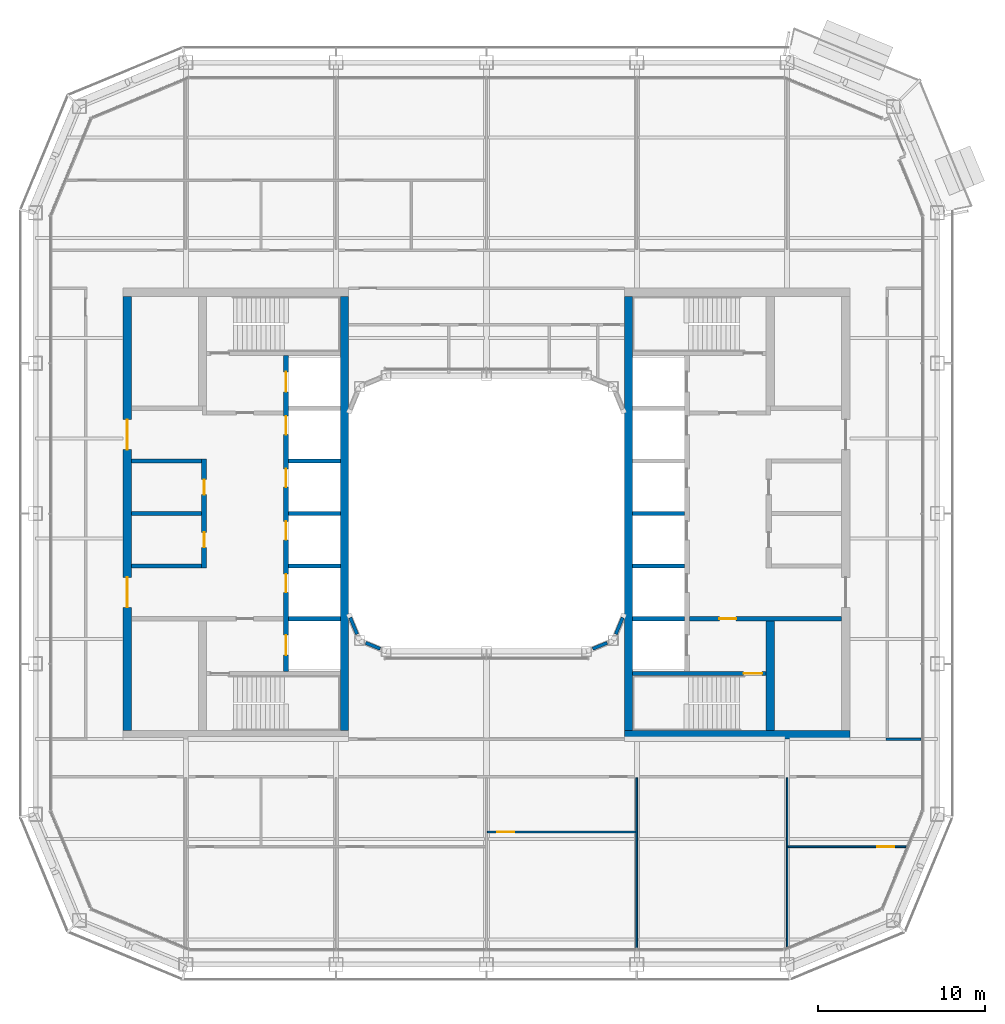
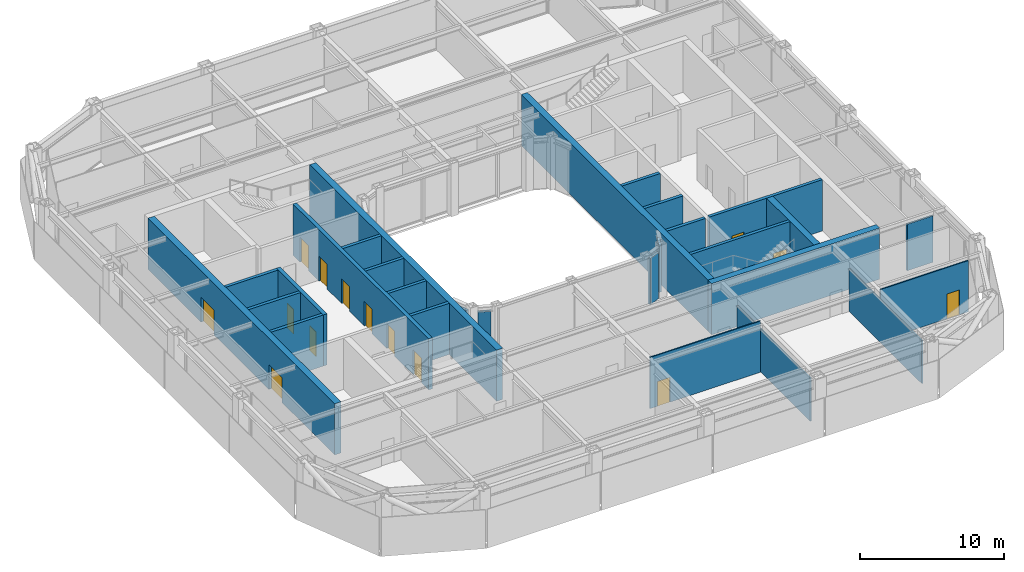
# One storey, part 13 of 23: 28 walls, 14 doors, 14 openings.
"""IFC4 building model written with IfcOpenShell, lengths in metres."""

from ifc_helpers import new_model, si_unit, direction, frame, frame_2d, origin, place, context, subcontext, project, spatial, rectangle, extrude, material, layer, layer_set, type_object, element, fill, save


model = new_model("IFC4")

# Units and contexts
model_context = context("Model", 3, precision=1e-05, world=origin(), true_north=direction((0.0, 1.0)))
body_context = subcontext(model_context, "Body", "Model", "MODEL_VIEW")
ifc_project = project(units=[si_unit("LENGTHUNIT", "METRE"), si_unit("AREAUNIT", "SQUARE_METRE"), si_unit("VOLUMEUNIT", "CUBIC_METRE"), si_unit("PLANEANGLEUNIT", "RADIAN"), si_unit("MASSUNIT", "GRAM", prefix="KILO")], contexts=[model_context])

# Site, building, storey
site_placement = place(None, origin())
site = spatial("IfcSite", under=ifc_project, at=site_placement, CompositionType="ELEMENT")
building_placement = place(site_placement, origin())
building = spatial("IfcBuilding", under=site, at=building_placement, Name="Siwar Civic Tower", CompositionType="ELEMENT")
storey_placement = place(building_placement, frame((0.0, 0.0, 224.199951171875)))
storey = spatial("IfcBuildingStorey", under=building, at=storey_placement, Name="L48", CompositionType="ELEMENT", Elevation=224.199951171875)

# Walls
ifc_material_1 = material(Name="Concrete C60/75", Category="concrete")
ifc_layer_1 = layer(ifc_material_1, 0.25)
ifc_layer_set_1 = layer_set([ifc_layer_1], Name="Concrete C60/75")
wall_type_1 = type_object("IfcWallType", Name="CORE-WALL-RC250", PredefinedType="SHEAR", material=ifc_layer_set_1)
for number, where, z_axis, x_axis, name in (
    (1, (-17.050048828125, 0.0, 0.0), (0.0, 0.0, 1.0), (-1.0, 0.0, 0.0), "Core wall W"),
    (2, (-17.050048828125, 3.14990234375, 0.0), (0.0, 0.0, 1.0), (-1.0, 0.0, 0.0), "Core wall W"),
    (3, (-17.050048828125, -3.14990234375, 0.0), (0.0, 0.0, 1.0), (-1.0, 0.0, 0.0), "Core wall W"),
):
    element("IfcWall", number, at=place(storey_placement, frame(where, z_axis=z_axis, x_axis=x_axis)), inside=storey, type_object=wall_type_1, Name=name, PredefinedType="SHEAR", context=body_context, shape_type="SweptSolid", body=[
        extrude(rectangle(XDim=4.199951171875, YDim=0.25, at=frame_2d((2.10009765625, 0.0))), origin(), (0.0, 0.0, 1.0), 4.35009765625),
    ])
for number, where, z_axis, x_axis, name in (
    (4, (-8.75, 0.0, 0.0), (0.0, 0.0, 1.0), (-1.0, 0.0, 0.0), "Core wall W"),
    (5, (-8.75, 3.14990234375, 0.0), (0.0, 0.0, 1.0), (-1.0, 0.0, 0.0), "Core wall W"),
    (6, (-8.75, -3.14990234375, 0.0), (0.0, 0.0, 1.0), (-1.0, 0.0, 0.0), "Core wall W"),
    (7, (-8.75, -6.300048828125, 0.0), (0.0, 0.0, 1.0), (-1.0, 0.0, 0.0), "Core wall W"),
):
    element("IfcWall", number, at=place(storey_placement, frame(where, z_axis=z_axis, x_axis=x_axis)), inside=storey, type_object=wall_type_1, Name=name, PredefinedType="SHEAR", context=body_context, shape_type="SweptSolid", body=[
        extrude(rectangle(XDim=3.10009765625, YDim=0.25, at=frame_2d((1.550048828125, 0.0))), origin(), (0.0, 0.0, 1.0), 4.35009765625),
    ])

# Wall, opening, door
wall_1_placement = place(storey_placement, frame((12.14990234375, -6.300048828125, 0.0), z_axis=(0.0, 0.0, 1.0), x_axis=(1.0, 0.0, 0.0)))
wall_1 = element("IfcWall", 8, at=wall_1_placement, inside=storey, type_object=wall_type_1, Name="Core wall E", PredefinedType="SHEAR", context=body_context, shape_type="SweptSolid", body=[
    extrude(rectangle(XDim=9.10009765625, YDim=0.25, at=frame_2d((4.550048828125, 0.0))), origin(), (0.0, 0.0, 1.0), 4.35009765625),
])
opening_1_placement = place(wall_1_placement, frame((1.800048828125, 0.0, 0.0)))
opening_1 = element("IfcOpeningElement", 9, at=opening_1_placement, cuts=wall_1, Name="Opening L48-CE02", PredefinedType="OPENING", context=body_context, shape_type="SweptSolid", body=[
    extrude(rectangle(XDim=1.0, YDim=2.10009765625, at=frame_2d((0.5, 1.050048828125))), frame((0.0, 0.135009765625, 0.0), z_axis=(0.0, -1.0, 0.0), x_axis=(1.0, 0.0, 0.0)), (0.0, 0.0, 1.0), 0.27001953125),
])
ifc_material_2 = material(Name="Steel door leaf", Category="steel")
door_type_1 = type_object("IfcDoorType", Name="CORE-DOOR-FD30S", OperationType="SINGLE_SWING_LEFT", PredefinedType="DOOR", material=ifc_material_2)
door_1_placement = place(opening_1_placement, origin())
door_1 = element("IfcDoor", 10, at=door_1_placement, inside=storey, type_object=door_type_1, Name="Service lobby door L48-CE02", OperationType="SINGLE_SWING_LEFT", OverallHeight=2.10009765625, OverallWidth=1.0, PredefinedType="DOOR", context=body_context, shape_type="SweptSolid", body=[
    extrude(rectangle(XDim=1.0, YDim=2.10009765625, at=frame_2d((0.5, 1.050048828125))), frame((0.0, 0.02490234375, 0.0), z_axis=(0.0, -1.0, 0.0), x_axis=(1.0, 0.0, 0.0)), (0.0, 0.0, 1.0), 0.050048828125),
])
fill(opening_1, door_1)

# Walls
for number, where, z_axis, x_axis, name in (
    (11, (8.75, 0.0, 0.0), (0.0, 0.0, 1.0), (1.0, 0.0, 0.0), "Core wall E"),
    (12, (8.75, -3.14990234375, 0.0), (0.0, 0.0, 1.0), (1.0, 0.0, 0.0), "Core wall E"),
    (13, (8.75, -6.300048828125, 0.0), (0.0, 0.0, 1.0), (1.0, 0.0, 0.0), "Core wall E"),
):
    element("IfcWall", number, at=place(storey_placement, frame(where, z_axis=z_axis, x_axis=x_axis)), inside=storey, type_object=wall_type_1, Name=name, PredefinedType="SHEAR", context=body_context, shape_type="SweptSolid", body=[
        extrude(rectangle(XDim=3.10009765625, YDim=0.25, at=frame_2d((1.550048828125, 0.0))), origin(), (0.0, 0.0, 1.0), 4.35009765625),
    ])

# Wall, opening, door
wall_2_placement = place(storey_placement, frame((8.75, -9.574951171875, 0.0), z_axis=(0.0, 0.0, 1.0), x_axis=(1.0, 0.0, 0.0)))
wall_2 = element("IfcWall", 14, at=wall_2_placement, inside=storey, type_object=wall_type_1, Name="Core wall E", PredefinedType="SHEAR", context=body_context, shape_type="SweptSolid", body=[
    extrude(rectangle(XDim=8.0, YDim=0.25, at=frame_2d((4.0, 0.0))), origin(), (0.0, 0.0, 1.0), 4.35009765625),
])
opening_2_placement = place(wall_2_placement, frame((6.64990234375, 0.0, 0.0)))
opening_2 = element("IfcOpeningElement", 15, at=opening_2_placement, cuts=wall_2, Name="Opening L48-CE04", PredefinedType="OPENING", context=body_context, shape_type="SweptSolid", body=[
    extrude(rectangle(XDim=1.10009765625, YDim=2.10009765625, at=frame_2d((0.550048828125, 1.050048828125))), frame((0.0, 0.135009765625, 0.0), z_axis=(0.0, -1.0, 0.0), x_axis=(1.0, 0.0, 0.0)), (0.0, 0.0, 1.0), 0.27001953125),
])
ifc_material_3 = material(Name="Steel door leaf", Category="steel")
door_type_2 = type_object("IfcDoorType", Name="CORE-DOOR-FD60S", OperationType="SINGLE_SWING_LEFT", PredefinedType="DOOR", material=ifc_material_3)
door_2_placement = place(opening_2_placement, origin())
door_2 = element("IfcDoor", 16, at=door_2_placement, inside=storey, type_object=door_type_2, Name="Stair door L48-CE04", OperationType="SINGLE_SWING_RIGHT", OverallHeight=2.10009765625, OverallWidth=1.10009765625, PredefinedType="DOOR", context=body_context, shape_type="SweptSolid", body=[
    extrude(rectangle(XDim=1.10009765625, YDim=2.10009765625, at=frame_2d((0.550048828125, 1.050048828125))), frame((0.0, 0.02490234375, 0.0), z_axis=(0.0, -1.0, 0.0), x_axis=(1.0, 0.0, 0.0)), (0.0, 0.0, 1.0), 0.050048828125),
])
fill(opening_2, door_2)

# Wall, openings, doors
ifc_material_4 = material(Name="Concrete C60/75", Category="concrete")
ifc_layer_2 = layer(ifc_material_4, 0.300048828125)
ifc_layer_set_2 = layer_set([ifc_layer_2], Name="Concrete C60/75")
wall_type_2 = type_object("IfcWallType", Name="CORE-WALL-RC300", PredefinedType="SHEAR", material=ifc_layer_set_2)
wall_3_placement = place(storey_placement, frame((-12.0, -9.449951171875, 0.0), z_axis=(0.0, 0.0, 1.0), x_axis=(0.0, 1.0, 0.0)))
wall_3 = element("IfcWall", 17, at=wall_3_placement, inside=storey, type_object=wall_type_2, Name="Core wall W", PredefinedType="SHEAR", context=body_context, shape_type="SweptSolid", body=[
    extrude(rectangle(XDim=18.89990234375, YDim=0.300048828125, at=frame_2d((9.449951171875, 0.0))), origin(), (0.0, 0.0, 1.0), 4.35009765625),
])
opening_3_placement = place(wall_3_placement, frame((4.72509765625, 0.0, 0.0)))
opening_3 = element("IfcOpeningElement", 18, at=opening_3_placement, cuts=wall_3, Name="Opening L48-CW07", PredefinedType="OPENING", context=body_context, shape_type="SweptSolid", body=[
    extrude(rectangle(XDim=1.10009765625, YDim=2.10009765625, at=frame_2d((0.550048828125, 1.050048828125))), frame((0.0, 0.16015625, 0.0), z_axis=(0.0, -1.0, 0.0), x_axis=(1.0, 0.0, 0.0)), (0.0, 0.0, 1.0), 0.320068359375),
])
opening_4_placement = place(wall_3_placement, frame((7.875, 0.0, 0.0)))
opening_4 = element("IfcOpeningElement", 19, at=opening_4_placement, cuts=wall_3, Name="Opening L48-CW08", PredefinedType="OPENING", context=body_context, shape_type="SweptSolid", body=[
    extrude(rectangle(XDim=1.10009765625, YDim=2.10009765625, at=frame_2d((0.550048828125, 1.050048828125))), frame((0.0, 0.16015625, 0.0), z_axis=(0.0, -1.0, 0.0), x_axis=(1.0, 0.0, 0.0)), (0.0, 0.0, 1.0), 0.320068359375),
])
opening_5_placement = place(wall_3_placement, frame((11.02490234375, 0.0, 0.0)))
opening_5 = element("IfcOpeningElement", 20, at=opening_5_placement, cuts=wall_3, Name="Opening L48-CW09", PredefinedType="OPENING", context=body_context, shape_type="SweptSolid", body=[
    extrude(rectangle(XDim=1.10009765625, YDim=2.10009765625, at=frame_2d((0.550048828125, 1.050048828125))), frame((0.0, 0.16015625, 0.0), z_axis=(0.0, -1.0, 0.0), x_axis=(1.0, 0.0, 0.0)), (0.0, 0.0, 1.0), 0.320068359375),
])
opening_6_placement = place(wall_3_placement, frame((14.175048828125, 0.0, 0.0)))
opening_6 = element("IfcOpeningElement", 21, at=opening_6_placement, cuts=wall_3, Name="Opening L48-CW10", PredefinedType="OPENING", context=body_context, shape_type="SweptSolid", body=[
    extrude(rectangle(XDim=1.10009765625, YDim=2.10009765625, at=frame_2d((0.550048828125, 1.050048828125))), frame((0.0, 0.16015625, 0.0), z_axis=(0.0, -1.0, 0.0), x_axis=(1.0, 0.0, 0.0)), (0.0, 0.0, 1.0), 0.320068359375),
])
opening_7_placement = place(wall_3_placement, frame((16.72509765625, 0.0, 0.0)))
opening_7 = element("IfcOpeningElement", 22, at=opening_7_placement, cuts=wall_3, Name="Opening L48-CW11", PredefinedType="OPENING", context=body_context, shape_type="SweptSolid", body=[
    extrude(rectangle(XDim=1.199951171875, YDim=2.10009765625, at=frame_2d((0.60009765625, 1.050048828125))), frame((0.0, 0.16015625, 0.0), z_axis=(0.0, -1.0, 0.0), x_axis=(1.0, 0.0, 0.0)), (0.0, 0.0, 1.0), 0.320068359375),
])
opening_8_placement = place(wall_3_placement, frame((0.97509765625, 0.0, 0.0)))
opening_8 = element("IfcOpeningElement", 23, at=opening_8_placement, cuts=wall_3, Name="Opening L48-CW12", PredefinedType="OPENING", context=body_context, shape_type="SweptSolid", body=[
    extrude(rectangle(XDim=1.199951171875, YDim=2.10009765625, at=frame_2d((0.60009765625, 1.050048828125))), frame((0.0, 0.16015625, 0.0), z_axis=(0.0, -1.0, 0.0), x_axis=(1.0, 0.0, 0.0)), (0.0, 0.0, 1.0), 0.320068359375),
])
ifc_material_5 = material(Name="Steel door leaf", Category="steel")
door_type_3 = type_object("IfcDoorType", Name="CORE-DOOR-LD", OperationType="DOUBLE_DOOR_SLIDING", PredefinedType="DOOR", material=ifc_material_5)
door_3_placement = place(opening_3_placement, origin())
door_3 = element("IfcDoor", 24, at=door_3_placement, inside=storey, type_object=door_type_3, Name="Landing door HR1 L48-CW07", OperationType="DOUBLE_DOOR_SLIDING", OverallHeight=2.10009765625, OverallWidth=1.10009765625, PredefinedType="DOOR", context=body_context, shape_type="SweptSolid", body=[
    extrude(rectangle(XDim=1.10009765625, YDim=2.10009765625, at=frame_2d((0.550048828125, 1.050048828125))), frame((0.0, 0.02490234375, 0.0), z_axis=(0.0, -1.0, 0.0), x_axis=(1.0, 0.0, 0.0)), (0.0, 0.0, 1.0), 0.050048828125),
])
fill(opening_3, door_3)
door_4_placement = place(opening_4_placement, origin())
door_4 = element("IfcDoor", 25, at=door_4_placement, inside=storey, type_object=door_type_3, Name="Landing door HR2 L48-CW08", OperationType="DOUBLE_DOOR_SLIDING", OverallHeight=2.10009765625, OverallWidth=1.10009765625, PredefinedType="DOOR", context=body_context, shape_type="SweptSolid", body=[
    extrude(rectangle(XDim=1.10009765625, YDim=2.10009765625, at=frame_2d((0.550048828125, 1.050048828125))), frame((0.0, 0.02490234375, 0.0), z_axis=(0.0, -1.0, 0.0), x_axis=(1.0, 0.0, 0.0)), (0.0, 0.0, 1.0), 0.050048828125),
])
fill(opening_4, door_4)
door_5_placement = place(opening_5_placement, origin())
door_5 = element("IfcDoor", 26, at=door_5_placement, inside=storey, type_object=door_type_3, Name="Landing door HR3 L48-CW09", OperationType="DOUBLE_DOOR_SLIDING", OverallHeight=2.10009765625, OverallWidth=1.10009765625, PredefinedType="DOOR", context=body_context, shape_type="SweptSolid", body=[
    extrude(rectangle(XDim=1.10009765625, YDim=2.10009765625, at=frame_2d((0.550048828125, 1.050048828125))), frame((0.0, 0.02490234375, 0.0), z_axis=(0.0, -1.0, 0.0), x_axis=(1.0, 0.0, 0.0)), (0.0, 0.0, 1.0), 0.050048828125),
])
fill(opening_5, door_5)
door_6_placement = place(opening_6_placement, origin())
door_6 = element("IfcDoor", 27, at=door_6_placement, inside=storey, type_object=door_type_3, Name="Landing door HR4 L48-CW10", OperationType="DOUBLE_DOOR_SLIDING", OverallHeight=2.10009765625, OverallWidth=1.10009765625, PredefinedType="DOOR", context=body_context, shape_type="SweptSolid", body=[
    extrude(rectangle(XDim=1.10009765625, YDim=2.10009765625, at=frame_2d((0.550048828125, 1.050048828125))), frame((0.0, 0.02490234375, 0.0), z_axis=(0.0, -1.0, 0.0), x_axis=(1.0, 0.0, 0.0)), (0.0, 0.0, 1.0), 0.050048828125),
])
fill(opening_6, door_6)
ifc_material_6 = material(Name="Steel door leaf", Category="steel")
door_type_4 = type_object("IfcDoorType", Name="CORE-DOOR-LDW", OperationType="DOUBLE_DOOR_SLIDING", PredefinedType="DOOR", material=ifc_material_6)
door_7_placement = place(opening_7_placement, origin())
door_7 = element("IfcDoor", 28, at=door_7_placement, inside=storey, type_object=door_type_4, Name="Landing door FF1 L48-CW11", OperationType="DOUBLE_DOOR_SLIDING", OverallHeight=2.10009765625, OverallWidth=1.199951171875, PredefinedType="DOOR", context=body_context, shape_type="SweptSolid", body=[
    extrude(rectangle(XDim=1.199951171875, YDim=2.10009765625, at=frame_2d((0.60009765625, 1.050048828125))), frame((0.0, 0.02490234375, 0.0), z_axis=(0.0, -1.0, 0.0), x_axis=(1.0, 0.0, 0.0)), (0.0, 0.0, 1.0), 0.050048828125),
])
fill(opening_7, door_7)
door_8_placement = place(opening_8_placement, origin())
door_8 = element("IfcDoor", 29, at=door_8_placement, inside=storey, type_object=door_type_4, Name="Landing door SV1 L48-CW12", OperationType="DOUBLE_DOOR_SLIDING", OverallHeight=2.10009765625, OverallWidth=1.199951171875, PredefinedType="DOOR", context=body_context, shape_type="SweptSolid", body=[
    extrude(rectangle(XDim=1.199951171875, YDim=2.10009765625, at=frame_2d((0.60009765625, 1.050048828125))), frame((0.0, 0.02490234375, 0.0), z_axis=(0.0, -1.0, 0.0), x_axis=(1.0, 0.0, 0.0)), (0.0, 0.0, 1.0), 0.050048828125),
])
fill(opening_8, door_8)

wall_4_placement = place(storey_placement, frame((-16.89990234375, -3.27490234375, 0.0), z_axis=(0.0, 0.0, 1.0), x_axis=(0.0, 1.0, 0.0)))
wall_4 = element("IfcWall", 30, at=wall_4_placement, inside=storey, type_object=wall_type_2, Name="Core wall W", PredefinedType="SHEAR", context=body_context, shape_type="SweptSolid", body=[
    extrude(rectangle(XDim=6.5498046875, YDim=0.300048828125, at=frame_2d((3.27490234375, 0.0))), origin(), (0.0, 0.0, 1.0), 4.35009765625),
])
opening_9_placement = place(wall_4_placement, frame((1.25, 0.0, 0.0)))
opening_9 = element("IfcOpeningElement", 31, at=opening_9_placement, cuts=wall_4, Name="Opening L48-CW13", PredefinedType="OPENING", context=body_context, shape_type="SweptSolid", body=[
    extrude(rectangle(XDim=0.89990234375, YDim=2.10009765625, at=frame_2d((0.449951171875, 1.050048828125))), frame((0.0, 0.16015625, 0.0), z_axis=(0.0, -1.0, 0.0), x_axis=(1.0, 0.0, 0.0)), (0.0, 0.0, 1.0), 0.320068359375),
])
opening_10_placement = place(wall_4_placement, frame((4.39990234375, 0.0, 0.0)))
opening_10 = element("IfcOpeningElement", 32, at=opening_10_placement, cuts=wall_4, Name="Opening L48-CW14", PredefinedType="OPENING", context=body_context, shape_type="SweptSolid", body=[
    extrude(rectangle(XDim=0.89990234375, YDim=2.10009765625, at=frame_2d((0.449951171875, 1.050048828125))), frame((0.0, 0.16015625, 0.0), z_axis=(0.0, -1.0, 0.0), x_axis=(1.0, 0.0, 0.0)), (0.0, 0.0, 1.0), 0.320068359375),
])
ifc_material_7 = material(Name="Steel door leaf", Category="steel")
door_type_5 = type_object("IfcDoorType", Name="CORE-DOOR-ROOM", OperationType="SINGLE_SWING_LEFT", PredefinedType="DOOR", material=ifc_material_7)
door_9_placement = place(opening_9_placement, origin())
door_9 = element("IfcDoor", 33, at=door_9_placement, inside=storey, type_object=door_type_5, Name="Core room door L48-CW13", OperationType="SINGLE_SWING_LEFT", OverallHeight=2.10009765625, OverallWidth=0.89990234375, PredefinedType="DOOR", context=body_context, shape_type="SweptSolid", body=[
    extrude(rectangle(XDim=0.89990234375, YDim=2.10009765625, at=frame_2d((0.449951171875, 1.050048828125))), frame((0.0, 0.02490234375, 0.0), z_axis=(0.0, -1.0, 0.0), x_axis=(1.0, 0.0, 0.0)), (0.0, 0.0, 1.0), 0.050048828125),
])
fill(opening_9, door_9)
door_10_placement = place(opening_10_placement, origin())
door_10 = element("IfcDoor", 34, at=door_10_placement, inside=storey, type_object=door_type_5, Name="Core room door L48-CW14", OperationType="SINGLE_SWING_RIGHT", OverallHeight=2.10009765625, OverallWidth=0.89990234375, PredefinedType="DOOR", context=body_context, shape_type="SweptSolid", body=[
    extrude(rectangle(XDim=0.89990234375, YDim=2.10009765625, at=frame_2d((0.449951171875, 1.050048828125))), frame((0.0, 0.02490234375, 0.0), z_axis=(0.0, -1.0, 0.0), x_axis=(1.0, 0.0, 0.0)), (0.0, 0.0, 1.0), 0.050048828125),
])
fill(opening_10, door_10)

ifc_material_8 = material(Name="Concrete C60/75", Category="concrete")
ifc_layer_3 = layer(ifc_material_8, 0.5)
ifc_layer_set_3 = layer_set([ifc_layer_3], Name="Concrete C60/75")
wall_type_3 = type_object("IfcWallType", Name="CORE-WALL-RC500", PredefinedType="SHEAR", material=ifc_layer_set_3)
wall_5_placement = place(storey_placement, frame((-21.5, -13.0, 0.0), z_axis=(0.0, 0.0, 1.0), x_axis=(0.0, 1.0, 0.0)))
wall_5 = element("IfcWall", 35, at=wall_5_placement, inside=storey, type_object=wall_type_3, Name="Core wall W", PredefinedType="SHEAR", context=body_context, shape_type="SweptSolid", body=[
    extrude(rectangle(XDim=26.0, YDim=0.5, at=frame_2d((13.0, 0.0))), origin(), (0.0, 0.0, 1.0), 4.35009765625),
])
opening_11_placement = place(wall_5_placement, frame((16.824951171875, 0.0, 0.0)))
opening_11 = element("IfcOpeningElement", 36, at=opening_11_placement, cuts=wall_5, Name="Opening L48-CW05", PredefinedType="OPENING", context=body_context, shape_type="SweptSolid", body=[
    extrude(rectangle(XDim=1.800048828125, YDim=2.10009765625, at=frame_2d((0.89990234375, 1.050048828125))), frame((0.0, 0.260009765625, 0.0), z_axis=(0.0, -1.0, 0.0), x_axis=(1.0, 0.0, 0.0)), (0.0, 0.0, 1.0), 0.52001953125),
])
opening_12_placement = place(wall_5_placement, frame((7.375, 0.0, 0.0)))
opening_12 = element("IfcOpeningElement", 37, at=opening_12_placement, cuts=wall_5, Name="Opening L48-CW06", PredefinedType="OPENING", context=body_context, shape_type="SweptSolid", body=[
    extrude(rectangle(XDim=1.800048828125, YDim=2.10009765625, at=frame_2d((0.89990234375, 1.050048828125))), frame((0.0, 0.260009765625, 0.0), z_axis=(0.0, -1.0, 0.0), x_axis=(1.0, 0.0, 0.0)), (0.0, 0.0, 1.0), 0.52001953125),
])
ifc_material_9 = material(Name="Steel door leaf", Category="steel")
door_type_6 = type_object("IfcDoorType", Name="CORE-DOOR-PORT", OperationType="DOUBLE_DOOR_DOUBLE_SWING", PredefinedType="DOOR", material=ifc_material_9)
door_11_placement = place(opening_11_placement, origin())
door_11 = element("IfcDoor", 38, at=door_11_placement, inside=storey, type_object=door_type_6, Name="Core entrance door L48-CW05", OperationType="DOUBLE_DOOR_DOUBLE_SWING", OverallHeight=2.10009765625, OverallWidth=1.800048828125, PredefinedType="DOOR", context=body_context, shape_type="SweptSolid", body=[
    extrude(rectangle(XDim=1.800048828125, YDim=2.10009765625, at=frame_2d((0.89990234375, 1.050048828125))), frame((0.0, 0.02490234375, 0.0), z_axis=(0.0, -1.0, 0.0), x_axis=(1.0, 0.0, 0.0)), (0.0, 0.0, 1.0), 0.050048828125),
])
fill(opening_11, door_11)
door_12_placement = place(opening_12_placement, origin())
door_12 = element("IfcDoor", 39, at=door_12_placement, inside=storey, type_object=door_type_6, Name="Core entrance door L48-CW06", OperationType="DOUBLE_DOOR_DOUBLE_SWING", OverallHeight=2.10009765625, OverallWidth=1.800048828125, PredefinedType="DOOR", context=body_context, shape_type="SweptSolid", body=[
    extrude(rectangle(XDim=1.800048828125, YDim=2.10009765625, at=frame_2d((0.89990234375, 1.050048828125))), frame((0.0, 0.02490234375, 0.0), z_axis=(0.0, -1.0, 0.0), x_axis=(1.0, 0.0, 0.0)), (0.0, 0.0, 1.0), 0.050048828125),
])
fill(opening_12, door_12)

# Walls
wall_6_placement = place(storey_placement, frame((17.0, -13.0, 0.0), z_axis=(0.0, 0.0, 1.0), x_axis=(0.0, 1.0, 0.0)))
element("IfcWall", 40, at=wall_6_placement, inside=storey, type_object=wall_type_3, Name="Core wall E", PredefinedType="SHEAR", context=body_context, shape_type="SweptSolid", body=[
    extrude(rectangle(XDim=6.574951171875, YDim=0.5, at=frame_2d((3.28759765625, 0.0))), origin(), (0.0, 0.0, 1.0), 4.35009765625),
])
wall_7_placement = place(storey_placement, frame((8.25, -13.25, 0.0), z_axis=(0.0, 0.0, 1.0), x_axis=(1.0, 0.0, 0.0)))
element("IfcWall", 41, at=wall_7_placement, inside=storey, type_object=wall_type_3, Name="Core wall E", PredefinedType="SHEAR", context=body_context, shape_type="SweptSolid", body=[
    extrude(rectangle(XDim=13.5, YDim=0.5, at=frame_2d((6.75, 0.0))), origin(), (0.0, 0.0, 1.0), 4.35009765625),
])
ifc_material_10 = material(Name="Concrete C60/75", Category="concrete")
ifc_layer_4 = layer(ifc_material_10, 0.5)
ifc_layer_set_4 = layer_set([ifc_layer_4], Name="Concrete C60/75")
wall_type_4 = type_object("IfcWallType", Name="CORE-WALL-RC500-EXT", PredefinedType="SHEAR", material=ifc_layer_set_4)
for number, where, z_axis, x_axis, name in (
    (42, (-8.5, -13.0, 0.0), (0.0, 0.0, 1.0), (0.0, 1.0, 0.0), "Core wall W"),
    (43, (8.5, -13.0, 0.0), (0.0, 0.0, 1.0), (0.0, 1.0, 0.0), "Core wall E"),
):
    element("IfcWall", number, at=place(storey_placement, frame(where, z_axis=z_axis, x_axis=x_axis)), inside=storey, type_object=wall_type_4, Name=name, PredefinedType="SHEAR", context=body_context, shape_type="SweptSolid", body=[
        extrude(rectangle(XDim=26.0, YDim=0.5, at=frame_2d((13.0, 0.0))), origin(), (0.0, 0.0, 1.0), 4.35009765625),
    ])
ifc_material_11 = material(Name="Gypsum board on steel studs", Category="steel")
ifc_layer_5 = layer(ifc_material_11, 0.14990234375)
ifc_layer_set_5 = layer_set([ifc_layer_5], Name="Gypsum board on steel studs")
wall_type_5 = type_object("IfcWallType", Name="CORRIDOR PARTITION 150 EI 30", PredefinedType="PARTITIONING", material=ifc_layer_set_5)
wall_8_placement = place(storey_placement, frame((23.925048828125, -13.5, 0.0), z_axis=(0.0, 0.0, 1.0), x_axis=(1.0, 0.0, 0.0)))
element("IfcWall", 44, at=wall_8_placement, inside=storey, type_object=wall_type_5, Name="L48/wall/P07", PredefinedType="PARTITIONING", context=body_context, shape_type="SweptSolid", body=[
    extrude(rectangle(XDim=2.0849609375, YDim=0.14990234375, at=frame_2d((1.04248046875, 0.0))), origin(), (0.0, 0.0, 1.0), 3.949951171875),
])
ifc_material_12 = material(Name="Aluminium clad insulated panel", Category="aluminium")
ifc_layer_6 = layer(ifc_material_12, 0.199951171875)
ifc_layer_set_6 = layer_set([ifc_layer_6], Name="Aluminium clad insulated panel")
wall_type_6 = type_object("IfcWallType", Name="ENV-WALL-WELL", PredefinedType="STANDARD", material=ifc_layer_set_6)
wall_9_placement = place(storey_placement, frame((6.362060546875, -8.10009765625, 0.0), z_axis=(0.0, 0.0, 1.0), x_axis=(0.923829670615, 0.382803787458, 0.0)))
element("IfcWall", 45, at=wall_9_placement, inside=storey, type_object=wall_type_6, Name="Light well corner wall SE1", PredefinedType="STANDARD", context=body_context, shape_type="SweptSolid", body=[
    extrude(rectangle(XDim=0.938232421875, YDim=0.199951171875, at=frame_2d((0.46923828125, 0.0))), origin(), (0.0, 0.0, 1.0), 3.91796875),
])
for number, where, z_axis, x_axis, name in (
    (46, (7.740966796875, -7.228759765625, 0.0), (0.0, 0.0, 1.0), (0.382704496366, 0.923870807235, 0.0), "Light well corner wall SE2"),
    (47, (-8.154296875, -6.23095703125, 0.0), (0.0, 0.0, 1.0), (0.382704496366, -0.923870807235, 0.0), "Light well corner wall SW1"),
):
    element("IfcWall", number, at=place(storey_placement, frame(where, z_axis=z_axis, x_axis=x_axis)), inside=storey, type_object=wall_type_6, Name=name, PredefinedType="STANDARD", context=body_context, shape_type="SweptSolid", body=[
        extrude(rectangle(XDim=1.080078125, YDim=0.199951171875, at=frame_2d((0.5400390625, 0.0))), origin(), (0.0, 0.0, 1.0), 3.91796875),
    ])
wall_10_placement = place(storey_placement, frame((-7.228759765625, -7.740966796875, 0.0), z_axis=(0.0, 0.0, 1.0), x_axis=(0.923829670615, -0.382803787458, 0.0)))
element("IfcWall", 48, at=wall_10_placement, inside=storey, type_object=wall_type_6, Name="Light well corner wall SW2", PredefinedType="STANDARD", context=body_context, shape_type="SweptSolid", body=[
    extrude(rectangle(XDim=0.938232421875, YDim=0.199951171875, at=frame_2d((0.46923828125, 0.0))), origin(), (0.0, 0.0, 1.0), 3.91796875),
])

# Wall, opening, door
ifc_material_13 = material(Name="Gypsum board on steel studs", Category="steel")
ifc_layer_7 = layer(ifc_material_13, 0.10009765625)
ifc_layer_set_7 = layer_set([ifc_layer_7], Name="Gypsum board on steel studs")
wall_type_7 = type_object("IfcWallType", Name="PARTITION 100 GYPSUM", PredefinedType="PARTITIONING", material=ifc_layer_set_7)
wall_11_placement = place(storey_placement, frame((18.050048828125, -19.949951171875, 0.0), z_axis=(0.0, 0.0, 1.0), x_axis=(1.0, 0.0, 0.0)))
wall_11 = element("IfcWall", 49, at=wall_11_placement, inside=storey, type_object=wall_type_7, Name="L48/wall/P02", PredefinedType="PARTITIONING", context=body_context, shape_type="SweptSolid", body=[
    extrude(rectangle(XDim=7.071044921875, YDim=0.10009765625, at=frame_2d((3.53564453125, 0.0))), origin(), (0.0, 0.0, 1.0), 4.35009765625),
])
opening_13_placement = place(wall_11_placement, frame((5.35009765625, 0.0, 0.0)))
opening_13 = element("IfcOpeningElement", 50, at=opening_13_placement, cuts=wall_11, Name="Opening D2", PredefinedType="OPENING", context=body_context, shape_type="SweptSolid", body=[
    extrude(rectangle(XDim=1.0, YDim=2.10009765625, at=frame_2d((0.5, 1.050048828125))), frame((0.0, 0.06005859375, 0.0), z_axis=(0.0, -1.0, 0.0), x_axis=(1.0, 0.0, 0.0)), (0.0, 0.0, 1.0), 0.1201171875),
])
ifc_material_14 = material(Name="Timber, painted", Category="wood")
door_type_7 = type_object("IfcDoorType", Name="DOOR 1000 X 2100", OperationType="SINGLE_SWING_LEFT", PredefinedType="DOOR", material=ifc_material_14)
door_13_placement = place(opening_13_placement, origin())
door_13 = element("IfcDoor", 51, at=door_13_placement, inside=storey, type_object=door_type_7, Name="L48-D22", OperationType="SINGLE_SWING_RIGHT", OverallHeight=2.10009765625, OverallWidth=1.0, PredefinedType="DOOR", context=body_context, shape_type="SweptSolid", body=[
    extrude(rectangle(XDim=1.0, YDim=2.10009765625, at=frame_2d((0.5, 1.050048828125))), frame((0.0, 0.02490234375, 0.0), z_axis=(0.0, -1.0, 0.0), x_axis=(1.0, 0.0, 0.0)), (0.0, 0.0, 1.0), 0.050048828125),
])
fill(opening_13, door_13)

wall_12_placement = place(storey_placement, frame((0.050048828125, -19.070068359375, 0.0), z_axis=(0.0, 0.0, 1.0), x_axis=(1.0, 0.0, 0.0)))
wall_12 = element("IfcWall", 52, at=wall_12_placement, inside=storey, type_object=wall_type_7, Name="L48/wall/P03", PredefinedType="PARTITIONING", context=body_context, shape_type="SweptSolid", body=[
    extrude(rectangle(XDim=8.89990234375, YDim=0.10009765625, at=frame_2d((4.449951171875, 0.0))), origin(), (0.0, 0.0, 1.0), 4.35009765625),
])
opening_14_placement = place(wall_12_placement, frame((0.60009765625, 0.0, 0.0)))
opening_14 = element("IfcOpeningElement", 53, at=opening_14_placement, cuts=wall_12, Name="Opening D2", PredefinedType="OPENING", context=body_context, shape_type="SweptSolid", body=[
    extrude(rectangle(XDim=1.0, YDim=2.10009765625, at=frame_2d((0.5, 1.050048828125))), frame((0.0, 0.06005859375, 0.0), z_axis=(0.0, -1.0, 0.0), x_axis=(1.0, 0.0, 0.0)), (0.0, 0.0, 1.0), 0.1201171875),
])
door_14_placement = place(opening_14_placement, origin())
door_14 = element("IfcDoor", 54, at=door_14_placement, inside=storey, type_object=door_type_7, Name="L48-D15", OperationType="SINGLE_SWING_LEFT", OverallHeight=2.10009765625, OverallWidth=1.0, PredefinedType="DOOR", context=body_context, shape_type="SweptSolid", body=[
    extrude(rectangle(XDim=1.0, YDim=2.10009765625, at=frame_2d((0.5, 1.050048828125))), frame((0.0, 0.02490234375, 0.0), z_axis=(0.0, -1.0, 0.0), x_axis=(1.0, 0.0, 0.0)), (0.0, 0.0, 1.0), 0.050048828125),
])
fill(opening_14, door_14)

# Walls
wall_13_placement = place(storey_placement, frame((9.0, -26.010009765625, 0.0), z_axis=(0.0, 0.0, 1.0), x_axis=(0.0, 1.0, 0.0)))
element("IfcWall", 55, at=wall_13_placement, inside=storey, type_object=wall_type_7, Name="L48/wall/P31", PredefinedType="PARTITIONING", context=body_context, shape_type="SweptSolid", body=[
    extrude(rectangle(XDim=10.18505859375, YDim=0.10009765625, at=frame_2d((5.092529296875, 0.0))), origin(), (0.0, 0.0, 1.0), 3.650146484375),
])
wall_14_placement = place(storey_placement, frame((18.0, -25.927978515625, 0.0), z_axis=(0.0, 0.0, 1.0), x_axis=(0.0, 1.0, 0.0)))
element("IfcWall", 56, at=wall_14_placement, inside=storey, type_object=wall_type_7, Name="L48/wall/P33", PredefinedType="PARTITIONING", context=body_context, shape_type="SweptSolid", body=[
    extrude(rectangle(XDim=10.10302734375, YDim=0.10009765625, at=frame_2d((5.051513671875, 0.0))), origin(), (0.0, 0.0, 1.0), 3.650146484375),
])

save(model, "model.ifc")
